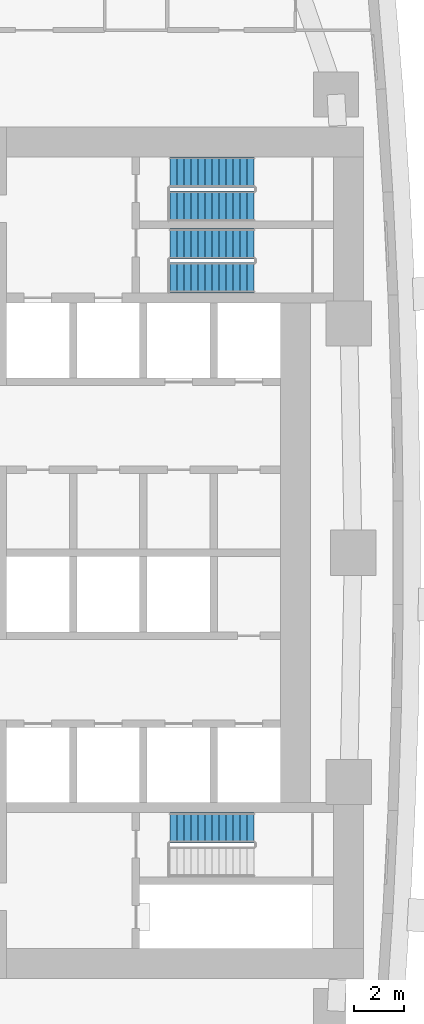
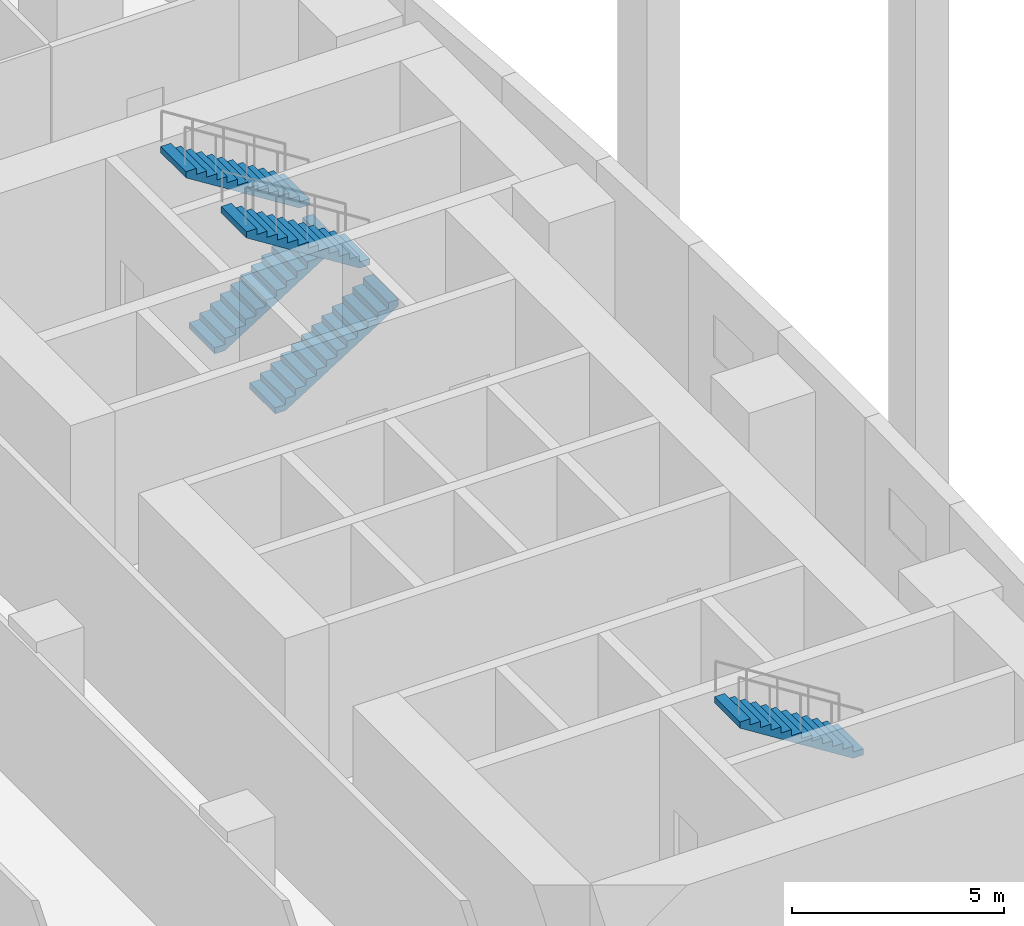
# One storey, part 14 of 20: 5 stair flights, 3 elements without a shape of their own.
"""IFC4 building model written with IfcOpenShell, lengths in metres."""

from ifc_helpers import new_model, si_unit, direction, frame, origin, place, context, subcontext, project, spatial, polyline, outline, extrude, material, type_object, element, aggregate, save


model = new_model("IFC4")

# Units and contexts
model_context = context("Model", 3, precision=1e-05, world=origin(), true_north=direction((0.0, 1.0)))
body_context = subcontext(model_context, "Body", "Model", "MODEL_VIEW")
ifc_project = project(units=[si_unit("LENGTHUNIT", "METRE"), si_unit("AREAUNIT", "SQUARE_METRE"), si_unit("VOLUMEUNIT", "CUBIC_METRE"), si_unit("PLANEANGLEUNIT", "RADIAN"), si_unit("MASSUNIT", "GRAM", prefix="KILO")], contexts=[model_context])

# Site, building, storey
site_placement = place(None, origin())
site = spatial("IfcSite", under=ifc_project, at=site_placement, CompositionType="ELEMENT")
building_placement = place(site_placement, origin())
building = spatial("IfcBuilding", under=site, at=building_placement, Name="Ostrand Prow Hotel Tower", CompositionType="ELEMENT")
storey_placement = place(building_placement, frame((0.0, 0.0, 35.0)))
storey = spatial("IfcBuildingStorey", under=building, at=storey_placement, Name="L06", CompositionType="ELEMENT", Elevation=35.0)

# Stair, stair flights
ifc_material_1 = material(Name="Concrete C40/50", Category="concrete")
stair_type = type_object("IfcStairType", Name="Exit stair 1200 upper zone", PredefinedType="HALF_TURN_STAIR", material=ifc_material_1)
stair_1_placement = place(storey_placement, origin())
stair_1 = element("IfcStair", 1, at=stair_1_placement, inside=storey, type_object=stair_type, Name="L06 ST1C", PredefinedType="HALF_TURN_STAIR")
ifc_material_2 = material(Name="Concrete C40/50", Category="concrete")
stair_flight_type = type_object("IfcStairFlightType", Name="Stair flight 1200 concrete", PredefinedType="STRAIGHT", material=ifc_material_2)
stair_flight_1_placement = place(storey_placement, frame((57.199951171875, 10.949951171875, 0.0), z_axis=(0.0, 0.0, 1.0), x_axis=(1.0, 0.0, 0.0)))
stair_flight_1 = element("IfcStairFlight", 2, at=stair_flight_1_placement, type_object=stair_flight_type, Name="ST1C flight 1", NumberOfRisers=13, NumberOfTreads=12, PredefinedType="STRAIGHT", RiserHeight=0.176923077, TreadLength=0.28, context=body_context, shape_type="SweptSolid", body=[
    extrude(outline(polyline([(0.0, 0.0), (0.0, 0.177001953125), (0.280029296875, 0.177001953125), (0.280029296875, 0.353759765625), (0.56005859375, 0.353759765625), (0.56005859375, 0.53076171875), (0.840087890625, 0.53076171875), (0.840087890625, 0.707763671875), (1.1201171875, 0.707763671875), (1.1201171875, 0.884521484375), (1.39990234375, 0.884521484375), (1.39990234375, 1.0615234375), (1.679931640625, 1.0615234375), (1.679931640625, 1.238525390625), (1.9599609375, 1.238525390625), (1.9599609375, 1.415283203125), (2.239990234375, 1.415283203125), (2.239990234375, 1.59228515625), (2.52001953125, 1.59228515625), (2.52001953125, 1.769287109375), (2.800048828125, 1.769287109375), (2.800048828125, 1.946044921875), (3.080078125, 1.946044921875), (3.080078125, 2.123046875), (3.360107421875, 2.123046875), (3.360107421875, 2.300048828125), (3.360107421875, 1.94580078125), (0.280517578125, 0.0), (0.0, 0.0)])), frame((0.0, 0.60009765625, 0.0), z_axis=(0.0, -1.0, 0.0), x_axis=(1.0, 0.0, 0.0)), (0.0, 0.0, 1.0), 1.199951171875),
])
stair_flight_2_placement = place(storey_placement, frame((60.56005859375, 12.300048828125, 2.300048828125), z_axis=(0.0, 0.0, 1.0), x_axis=(-1.0, 0.0, 0.0)))
stair_flight_2 = element("IfcStairFlight", 3, at=stair_flight_2_placement, type_object=stair_flight_type, Name="ST1C flight 2", NumberOfRisers=13, NumberOfTreads=12, PredefinedType="STRAIGHT", RiserHeight=0.176923077, TreadLength=0.28, context=body_context, shape_type="SweptSolid", body=[
    extrude(outline(polyline([(0.0, 0.0), (0.0, 0.177001953125), (0.280029296875, 0.177001953125), (0.280029296875, 0.353759765625), (0.56005859375, 0.353759765625), (0.56005859375, 0.53076171875), (0.840087890625, 0.53076171875), (0.840087890625, 0.707763671875), (1.1201171875, 0.707763671875), (1.1201171875, 0.884521484375), (1.39990234375, 0.884521484375), (1.39990234375, 1.0615234375), (1.679931640625, 1.0615234375), (1.679931640625, 1.238525390625), (1.9599609375, 1.238525390625), (1.9599609375, 1.415283203125), (2.239990234375, 1.415283203125), (2.239990234375, 1.59228515625), (2.52001953125, 1.59228515625), (2.52001953125, 1.769287109375), (2.800048828125, 1.769287109375), (2.800048828125, 1.946044921875), (3.080078125, 1.946044921875), (3.080078125, 2.123046875), (3.360107421875, 2.123046875), (3.360107421875, 2.300048828125), (3.360107421875, 1.94580078125), (0.280517578125, 0.0), (0.0, 0.0)])), frame((0.0, 0.60009765625, 0.0), z_axis=(0.0, -1.0, 0.0), x_axis=(1.0, 0.0, 0.0)), (0.0, 0.0, 1.0), 1.199951171875),
])
aggregate(stair_1, [stair_flight_1, stair_flight_2])

stair_2_placement = place(storey_placement, origin())
stair_2 = element("IfcStair", 4, at=stair_2_placement, inside=storey, type_object=stair_type, Name="L06 ST3C", PredefinedType="HALF_TURN_STAIR")
stair_flight_3_placement = place(storey_placement, frame((57.199951171875, 13.800048828125, 0.0), z_axis=(0.0, 0.0, 1.0), x_axis=(1.0, 0.0, 0.0)))
stair_flight_3 = element("IfcStairFlight", 5, at=stair_flight_3_placement, type_object=stair_flight_type, Name="ST3C flight 1", NumberOfRisers=13, NumberOfTreads=12, PredefinedType="STRAIGHT", RiserHeight=0.176923077, TreadLength=0.28, context=body_context, shape_type="SweptSolid", body=[
    extrude(outline(polyline([(0.0, 0.0), (0.0, 0.177001953125), (0.280029296875, 0.177001953125), (0.280029296875, 0.353759765625), (0.56005859375, 0.353759765625), (0.56005859375, 0.53076171875), (0.840087890625, 0.53076171875), (0.840087890625, 0.707763671875), (1.1201171875, 0.707763671875), (1.1201171875, 0.884521484375), (1.39990234375, 0.884521484375), (1.39990234375, 1.0615234375), (1.679931640625, 1.0615234375), (1.679931640625, 1.238525390625), (1.9599609375, 1.238525390625), (1.9599609375, 1.415283203125), (2.239990234375, 1.415283203125), (2.239990234375, 1.59228515625), (2.52001953125, 1.59228515625), (2.52001953125, 1.769287109375), (2.800048828125, 1.769287109375), (2.800048828125, 1.946044921875), (3.080078125, 1.946044921875), (3.080078125, 2.123046875), (3.360107421875, 2.123046875), (3.360107421875, 2.300048828125), (3.360107421875, 1.94580078125), (0.280517578125, 0.0), (0.0, 0.0)])), frame((0.0, 0.60009765625, 0.0), z_axis=(0.0, -1.0, 0.0), x_axis=(1.0, 0.0, 0.0)), (0.0, 0.0, 1.0), 1.199951171875),
])
stair_flight_4_placement = place(storey_placement, frame((60.56005859375, 15.14990234375, 2.300048828125), z_axis=(0.0, 0.0, 1.0), x_axis=(-1.0, 0.0, 0.0)))
stair_flight_4 = element("IfcStairFlight", 6, at=stair_flight_4_placement, type_object=stair_flight_type, Name="ST3C flight 2", NumberOfRisers=13, NumberOfTreads=12, PredefinedType="STRAIGHT", RiserHeight=0.176923077, TreadLength=0.28, context=body_context, shape_type="SweptSolid", body=[
    extrude(outline(polyline([(0.0, 0.0), (0.0, 0.177001953125), (0.280029296875, 0.177001953125), (0.280029296875, 0.353759765625), (0.56005859375, 0.353759765625), (0.56005859375, 0.53076171875), (0.840087890625, 0.53076171875), (0.840087890625, 0.707763671875), (1.1201171875, 0.707763671875), (1.1201171875, 0.884521484375), (1.39990234375, 0.884521484375), (1.39990234375, 1.0615234375), (1.679931640625, 1.0615234375), (1.679931640625, 1.238525390625), (1.9599609375, 1.238525390625), (1.9599609375, 1.415283203125), (2.239990234375, 1.415283203125), (2.239990234375, 1.59228515625), (2.52001953125, 1.59228515625), (2.52001953125, 1.769287109375), (2.800048828125, 1.769287109375), (2.800048828125, 1.946044921875), (3.080078125, 1.946044921875), (3.080078125, 2.123046875), (3.360107421875, 2.123046875), (3.360107421875, 2.300048828125), (3.360107421875, 1.94580078125), (0.280517578125, 0.0), (0.0, 0.0)])), frame((0.0, 0.60009765625, 0.0), z_axis=(0.0, -1.0, 0.0), x_axis=(1.0, 0.0, 0.0)), (0.0, 0.0, 1.0), 1.199951171875),
])
aggregate(stair_2, [stair_flight_3, stair_flight_4])

# Stair, stair flight
stair_3_placement = place(storey_placement, origin())
stair_3 = element("IfcStair", 7, at=stair_3_placement, inside=storey, type_object=stair_type, Name="L06 ST2C", PredefinedType="HALF_TURN_STAIR")
stair_flight_5_placement = place(storey_placement, frame((60.56005859375, -10.949951171875, 2.300048828125), z_axis=(0.0, 0.0, 1.0), x_axis=(-1.0, 0.0, 0.0)))
stair_flight_5 = element("IfcStairFlight", 8, at=stair_flight_5_placement, type_object=stair_flight_type, Name="ST2C flight 2", NumberOfRisers=13, NumberOfTreads=12, PredefinedType="STRAIGHT", RiserHeight=0.176923077, TreadLength=0.28, context=body_context, shape_type="SweptSolid", body=[
    extrude(outline(polyline([(0.0, 0.0), (0.0, 0.177001953125), (0.280029296875, 0.177001953125), (0.280029296875, 0.353759765625), (0.56005859375, 0.353759765625), (0.56005859375, 0.53076171875), (0.840087890625, 0.53076171875), (0.840087890625, 0.707763671875), (1.1201171875, 0.707763671875), (1.1201171875, 0.884521484375), (1.39990234375, 0.884521484375), (1.39990234375, 1.0615234375), (1.679931640625, 1.0615234375), (1.679931640625, 1.238525390625), (1.9599609375, 1.238525390625), (1.9599609375, 1.415283203125), (2.239990234375, 1.415283203125), (2.239990234375, 1.59228515625), (2.52001953125, 1.59228515625), (2.52001953125, 1.769287109375), (2.800048828125, 1.769287109375), (2.800048828125, 1.946044921875), (3.080078125, 1.946044921875), (3.080078125, 2.123046875), (3.360107421875, 2.123046875), (3.360107421875, 2.300048828125), (3.360107421875, 1.94580078125), (0.280517578125, 0.0), (0.0, 0.0)])), frame((0.0, 0.60009765625, 0.0), z_axis=(0.0, -1.0, 0.0), x_axis=(1.0, 0.0, 0.0)), (0.0, 0.0, 1.0), 1.199951171875),
])
aggregate(stair_3, [stair_flight_5])

save(model, "model.ifc")
